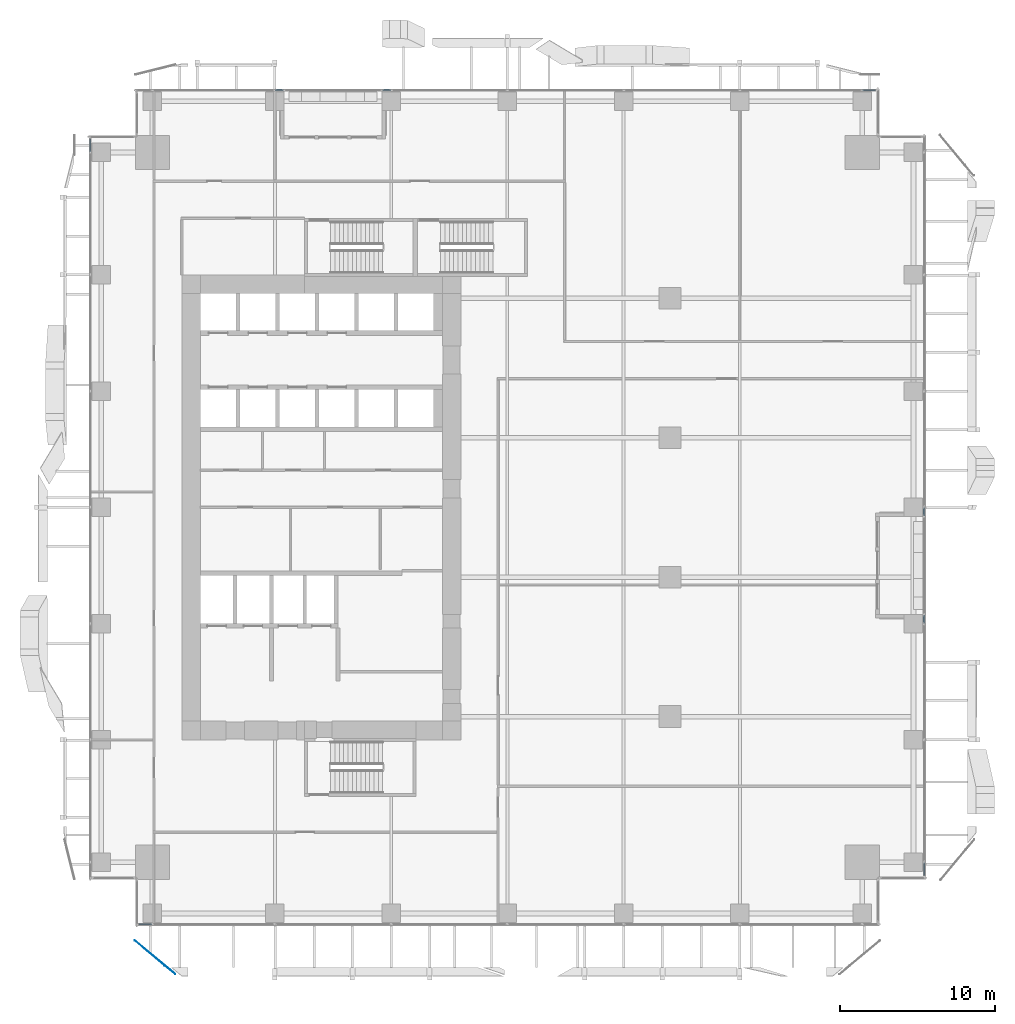
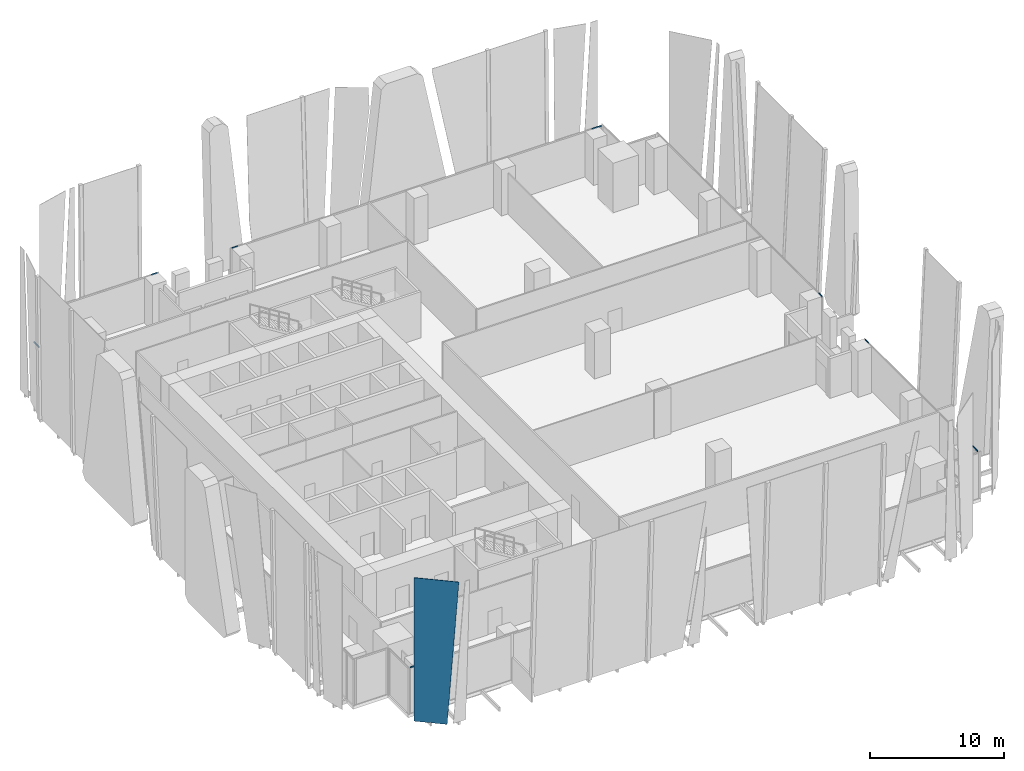
# One storey, part 20 of 34: 8 members, 1 plate, 6 elements without a shape of their own.
"""IFC4 building model written with IfcOpenShell, lengths in metres."""

from ifc_helpers import new_model, si_unit, direction, frame, origin, origin_2d, place, context, subcontext, project, spatial, polyline, hollow_rectangle, outline, extrude, source, transform, mapped, material, layer, layer_set, material_profile, profile_set, type_object, element, aggregate, save


model = new_model("IFC4")

# Units and contexts
model_context = context("Model", 3, precision=1e-05, world=origin(), true_north=direction((0.0, 1.0)))
body_context = subcontext(model_context, "Body", "Model", "MODEL_VIEW")
ifc_project = project(units=[si_unit("LENGTHUNIT", "METRE"), si_unit("AREAUNIT", "SQUARE_METRE"), si_unit("VOLUMEUNIT", "CUBIC_METRE"), si_unit("PLANEANGLEUNIT", "RADIAN"), si_unit("MASSUNIT", "GRAM", prefix="KILO")], contexts=[model_context])

# Site, building, storey
site_placement = place(None, origin())
site = spatial("IfcSite", under=ifc_project, at=site_placement, CompositionType="ELEMENT")
building_placement = place(site_placement, origin())
building = spatial("IfcBuilding", under=site, at=building_placement, Name="Khomas Fold Tower", CompositionType="ELEMENT")
storey_placement = place(building_placement, frame((0.0, 0.0, 73.5)))
storey = spatial("IfcBuildingStorey", under=building, at=storey_placement, Name="L15", CompositionType="ELEMENT", Elevation=73.5)

# Curtain wall, member
ifc_material_1 = material(Name="Aluminium framed double glazing", Category="aluminium")
curtain_wall_type = type_object("IfcCurtainWallType", Name="SK-Unitised clear-glass wall, growing floors CW1", PredefinedType="NOTDEFINED", material=ifc_material_1)
curtain_wall_1_placement = place(storey_placement, origin())
curtain_wall_1 = element("IfcCurtainWall", 1, at=curtain_wall_1_placement, inside=storey, type_object=curtain_wall_type, Name="CW1 run L15 00-0", PredefinedType="NOTDEFINED")
ifc_material_2 = material(Name="Aluminium", Category="aluminium")
ifc_material_profile = material_profile(ifc_material_2, hollow_rectangle(XDim=0.06005859375, YDim=0.1201171875, WallThickness=0.00390625, at=origin_2d()), Name="SK-Unitised clear-glass wall, growing floors transom CW1-T")
ifc_profile_set = profile_set([ifc_material_profile], Name="Aluminium")
member_type = type_object("IfcMemberType", Name="SK-Unitised clear-glass wall, growing floors transom CW1-T", PredefinedType="USERDEFINED", material=ifc_profile_set)
shared_shape_1 = source(origin(), body_context, "Body", "SweptSolid", [
    extrude(hollow_rectangle(XDim=0.06005859375, YDim=0.1201171875, WallThickness=0.00390625, at=origin_2d()), origin(), (0.0, 0.0, 1.0), 0.81005859375),
])
member_1_placement = place(storey_placement, frame((3.260009765625, 0.10009765625, 4.139892578125), z_axis=(1.0, 0.0, 0.0), x_axis=(0.0, 1.0, 0.0)))
member_1 = element("IfcMember", 2, at=member_1_placement, type_object=member_type, Name="CW1 transom 1", ObjectType="TRANSOM", PredefinedType="USERDEFINED", context=body_context, shape_type="MappedRepresentation", body=[
    mapped(shared_shape_1, transform((0.0, 0.0, 0.0))),
])
aggregate(curtain_wall_1, [member_1])

curtain_wall_2_placement = place(storey_placement, origin())
curtain_wall_2 = element("IfcCurtainWall", 3, at=curtain_wall_2_placement, inside=storey, type_object=curtain_wall_type, Name="CW1 run L15 03-0", PredefinedType="NOTDEFINED")
member_2_placement = place(storey_placement, frame((53.89990234375, 3.260009765625, 4.139892578125), z_axis=(0.0, 1.0, 0.0), x_axis=(-1.0, 0.0, 0.0)))
member_2 = element("IfcMember", 4, at=member_2_placement, type_object=member_type, Name="CW1 transom 1", ObjectType="TRANSOM", PredefinedType="USERDEFINED", context=body_context, shape_type="MappedRepresentation", body=[
    mapped(shared_shape_1, transform((0.0, 0.0, 0.0))),
])

curtain_wall_3_placement = place(storey_placement, origin())
curtain_wall_3 = element("IfcCurtainWall", 5, at=curtain_wall_3_placement, inside=storey, type_object=curtain_wall_type, Name="CW1 run L15 06-0", PredefinedType="NOTDEFINED")
member_3_placement = place(storey_placement, frame((50.739990234375, 53.89990234375, 4.139892578125), z_axis=(-1.0, 0.0, 0.0), x_axis=(0.0, -1.0, 0.0)))
member_3 = element("IfcMember", 6, at=member_3_placement, type_object=member_type, Name="CW1 transom 1", ObjectType="TRANSOM", PredefinedType="USERDEFINED", context=body_context, shape_type="MappedRepresentation", body=[
    mapped(shared_shape_1, transform((0.0, 0.0, 0.0))),
])

curtain_wall_4_placement = place(storey_placement, origin())
curtain_wall_4 = element("IfcCurtainWall", 7, at=curtain_wall_4_placement, inside=storey, type_object=curtain_wall_type, Name="CW1 run L15 09-0", PredefinedType="NOTDEFINED")
member_4_placement = place(storey_placement, frame((0.10009765625, 50.739990234375, 4.139892578125), z_axis=(0.0, -1.0, 0.0), x_axis=(1.0, 0.0, 0.0)))
member_4 = element("IfcMember", 8, at=member_4_placement, type_object=member_type, Name="CW1 transom 1", ObjectType="TRANSOM", PredefinedType="USERDEFINED", context=body_context, shape_type="MappedRepresentation", body=[
    mapped(shared_shape_1, transform((0.0, 0.0, 0.0))),
])
aggregate(curtain_wall_4, [member_4])

# Member
shared_shape_2 = source(origin(), body_context, "Body", "SweptSolid", [
    extrude(hollow_rectangle(XDim=0.06005859375, YDim=0.1201171875, WallThickness=0.00390625, at=origin_2d()), origin(), (0.0, 0.0, 1.0), 0.510009765625),
])
member_5_placement = place(storey_placement, frame((53.89990234375, 19.530029296875, 4.139892578125), z_axis=(0.0, 1.0, 0.0), x_axis=(-1.0, 0.0, 0.0)))
member_5 = element("IfcMember", 9, at=member_5_placement, type_object=member_type, Name="CW1 transom 4", ObjectType="TRANSOM", PredefinedType="USERDEFINED", context=body_context, shape_type="MappedRepresentation", body=[
    mapped(shared_shape_2, transform((0.0, 0.0, 0.0))),
])

aggregate(curtain_wall_2, [member_2, member_5])

# Curtain wall, member
curtain_wall_5_placement = place(storey_placement, origin())
curtain_wall_5 = element("IfcCurtainWall", 10, at=curtain_wall_5_placement, inside=storey, type_object=curtain_wall_type, Name="CW1 run L15 03-1", PredefinedType="NOTDEFINED")
member_6_placement = place(storey_placement, frame((53.89990234375, 26.4599609375, 4.139892578125), z_axis=(0.0, 1.0, 0.0), x_axis=(-1.0, 0.0, 0.0)))
member_6 = element("IfcMember", 11, at=member_6_placement, type_object=member_type, Name="CW1 transom 1", ObjectType="TRANSOM", PredefinedType="USERDEFINED", context=body_context, shape_type="MappedRepresentation", body=[
    mapped(shared_shape_2, transform((0.0, 0.0, 0.0))),
])
aggregate(curtain_wall_5, [member_6])

# Member
member_7_placement = place(storey_placement, frame((19.469970703125, 53.89990234375, 4.139892578125), z_axis=(-1.0, 0.0, 0.0), x_axis=(0.0, -1.0, 0.0)))
member_7 = element("IfcMember", 12, at=member_7_placement, type_object=member_type, Name="CW1 transom 6", ObjectType="TRANSOM", PredefinedType="USERDEFINED", context=body_context, shape_type="MappedRepresentation", body=[
    mapped(shared_shape_2, transform((0.0, 0.0, 0.0))),
])

aggregate(curtain_wall_3, [member_3, member_7])

# Curtain wall, member
curtain_wall_6_placement = place(storey_placement, origin())
curtain_wall_6 = element("IfcCurtainWall", 13, at=curtain_wall_6_placement, inside=storey, type_object=curtain_wall_type, Name="CW1 run L15 06-1", PredefinedType="NOTDEFINED")
member_8_placement = place(storey_placement, frame((12.5400390625, 53.89990234375, 4.139892578125), z_axis=(-1.0, 0.0, 0.0), x_axis=(0.0, -1.0, 0.0)))
member_8 = element("IfcMember", 14, at=member_8_placement, type_object=member_type, Name="CW1 transom 1", ObjectType="TRANSOM", PredefinedType="USERDEFINED", context=body_context, shape_type="MappedRepresentation", body=[
    mapped(shared_shape_2, transform((0.0, 0.0, 0.0))),
])
aggregate(curtain_wall_6, [member_8])

# Plate
ifc_material_3 = material(Name="Clear laminated glass", Category="glass")
ifc_layer = layer(ifc_material_3, 0.0400390625)
ifc_layer_set = layer_set([ifc_layer], Name="Clear laminated glass")
plate_type = type_object("IfcPlateType", Name="SK-Clear laminated glass leaf", PredefinedType="SHEET", material=ifc_layer_set)
plate_placement = place(storey_placement, frame((4.902587890625, -2.53759765625, 0.0), z_axis=(0.640204706101, 0.768204357112, 2.93534e-07), x_axis=(-0.768204357112, 0.640204706101, 0.0)))
element("IfcPlate", 15, at=plate_placement, inside=storey, type_object=plate_type, Name="OUTER SKIN glass L15 SG098-2", PredefinedType="SHEET", context=body_context, shape_type="SweptSolid", body=[
    extrude(outline(polyline([(0.0, 0.0), (2.5100354951242068, -5.293955920339377e-23), (2.5100354951300528, 13.050048828124439), (-0.8927258925992674, 13.050048828127087), (0.0, 0.0)])), origin(), (0.0, 0.0, -1.0), 0.0400390625),
])

save(model, "model.ifc")
